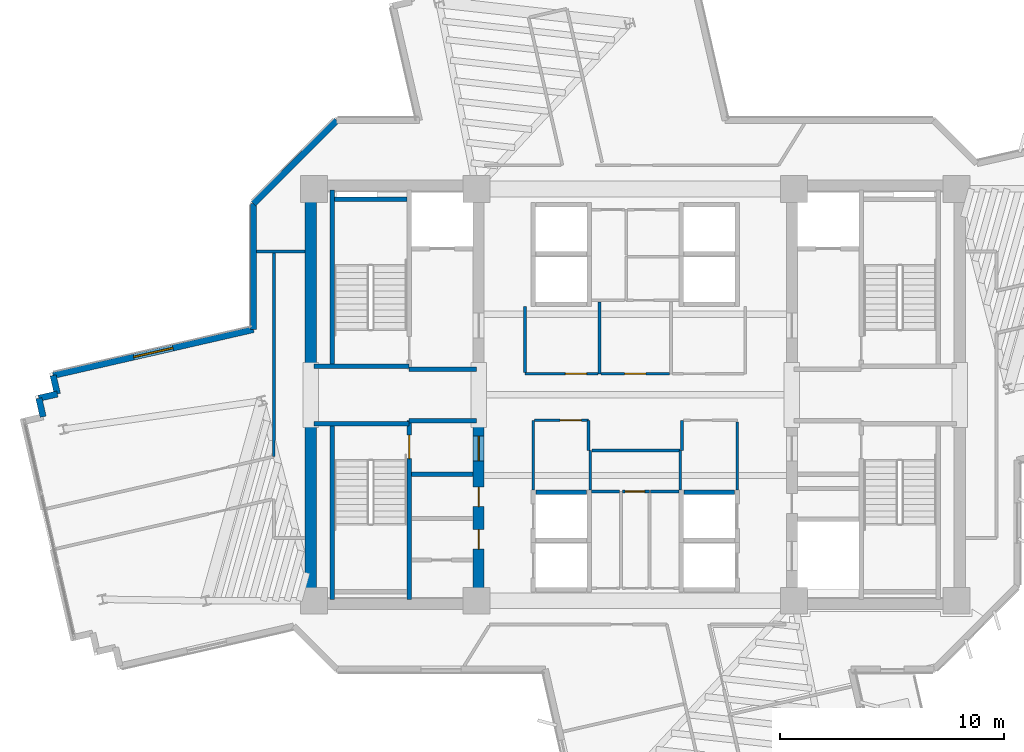
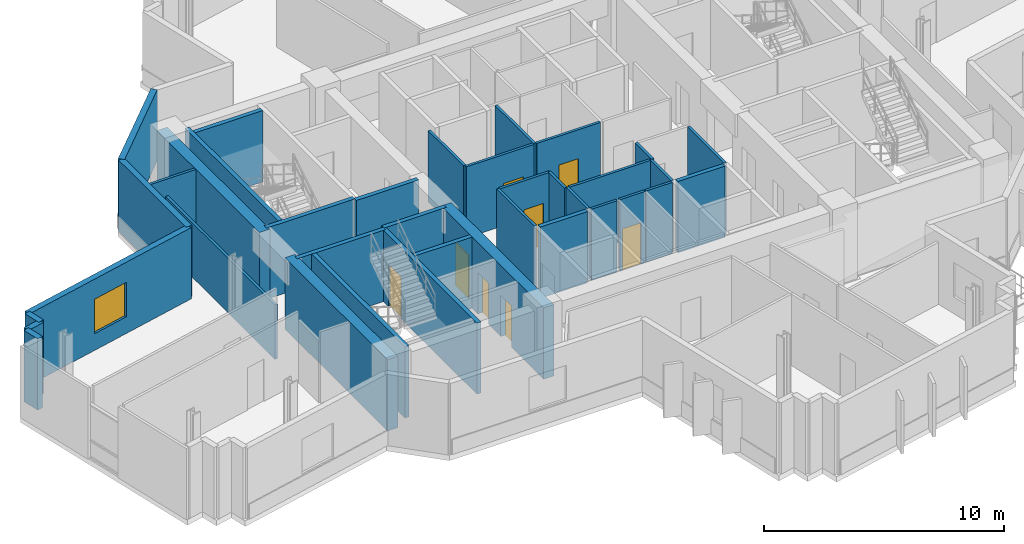
# One storey, part 7 of 13: 37 walls, 8 doors, 1 window, 9 openings.
"""IFC4 building model written with IfcOpenShell, lengths in metres."""

from ifc_helpers import new_model, si_unit, direction, frame, frame_2d, origin, place, context, subcontext, project, spatial, rectangle, extrude, source, transform, mapped, material, layer, layer_set, type_object, element, fill, save


model = new_model("IFC4")

# Units and contexts
model_context = context("Model", 3, precision=1e-05, world=origin(), true_north=direction((0.0, 1.0)))
body_context = subcontext(model_context, "Body", "Model", "MODEL_VIEW")
ifc_project = project(units=[si_unit("LENGTHUNIT", "METRE"), si_unit("AREAUNIT", "SQUARE_METRE"), si_unit("VOLUMEUNIT", "CUBIC_METRE"), si_unit("PLANEANGLEUNIT", "RADIAN"), si_unit("MASSUNIT", "GRAM", prefix="KILO")], contexts=[model_context])

# Site, building, storey
site_placement = place(None, origin())
site = spatial("IfcSite", under=ifc_project, at=site_placement, CompositionType="ELEMENT")
building_placement = place(site_placement, origin())
building = spatial("IfcBuilding", under=site, at=building_placement, Name="Zahravan Cultural Tower", CompositionType="ELEMENT")
storey_placement = place(building_placement, frame((0.0, 0.0, 174.60009765625)))
storey = spatial("IfcBuildingStorey", under=building, at=storey_placement, Name="L40", CompositionType="ELEMENT", Elevation=174.60009765625)

# Wall, openings, doors
ifc_material_1 = material(Name="Concrete C60/75", Category="concrete")
ifc_layer_1 = layer(ifc_material_1, 0.5)
ifc_layer_set_1 = layer_set([ifc_layer_1], Name="Concrete C60/75")
wall_type_1 = type_object("IfcWallType", Name="CW-SHEAR-500-C60", PredefinedType="SHEAR", material=ifc_layer_set_1)
wall_1_placement = place(storey_placement, frame((29.0, 17.39990234375, 0.0), z_axis=(0.0, 0.0, 1.0), x_axis=(0.0, 1.0, 0.0)))
wall_1 = element("IfcWall", 1, at=wall_1_placement, inside=storey, type_object=wall_type_1, Name="L40 Core Shear Wall CW-W-ES-L40", PredefinedType="SHEAR", context=body_context, shape_type="SweptSolid", body=[
    extrude(rectangle(XDim=8.550048828125, YDim=0.5, at=frame_2d((4.27490234375, 0.0))), origin(), (0.0, 0.0, 1.0), 3.619873046875),
])
opening_1_placement = place(wall_1_placement, frame((6.64990234375, 0.0, 0.0)))
opening_1 = element("IfcOpeningElement", 2, at=opening_1_placement, cuts=wall_1, Name="Opening D-L40-07", PredefinedType="OPENING", context=body_context, shape_type="SweptSolid", body=[
    extrude(rectangle(XDim=1.10009765625, YDim=2.199951171875, at=frame_2d((0.550048828125, 1.10009765625))), frame((0.0, 0.260009765625, 0.0), z_axis=(0.0, -1.0, 0.0), x_axis=(1.0, 0.0, 0.0)), (0.0, 0.0, 1.0), 0.52001953125),
])
opening_2_placement = place(wall_1_placement, frame((2.699951171875, 0.0, 0.0)))
opening_2 = element("IfcOpeningElement", 3, at=opening_2_placement, cuts=wall_1, Name="Opening D-L40-10", PredefinedType="OPENING", context=body_context, shape_type="SweptSolid", body=[
    extrude(rectangle(XDim=0.8798828125, YDim=2.10009765625, at=frame_2d((0.43994140625, 1.050048828125))), frame((0.0, 0.260009765625, 0.0), z_axis=(0.0, -1.0, 0.0), x_axis=(1.0, 0.0, 0.0)), (0.0, 0.0, 1.0), 0.52001953125),
])
opening_3_placement = place(wall_1_placement, frame((4.60009765625, 0.0, 0.0)))
opening_3 = element("IfcOpeningElement", 4, at=opening_3_placement, cuts=wall_1, Name="Opening D-L40-11", PredefinedType="OPENING", context=body_context, shape_type="SweptSolid", body=[
    extrude(rectangle(XDim=0.8798828125, YDim=2.10009765625, at=frame_2d((0.43994140625, 1.050048828125))), frame((0.0, 0.260009765625, 0.0), z_axis=(0.0, -1.0, 0.0), x_axis=(1.0, 0.0, 0.0)), (0.0, 0.0, 1.0), 0.52001953125),
])
ifc_material_2 = material(Name="Steel ASTM A572 Grade 50", Category="steel")
door_type_1 = type_object("IfcDoorType", Name="DR-LOBBY-1100", OperationType="NOTDEFINED", PredefinedType="DOOR", material=ifc_material_2)
shared_shape_1 = source(origin(), body_context, "Body", "SweptSolid", [
    extrude(rectangle(XDim=1.10009765625, YDim=2.199951171875, at=frame_2d((0.550048828125, 1.10009765625))), frame((0.0, 0.02490234375, 0.0), z_axis=(0.0, -1.0, 0.0), x_axis=(1.0, 0.0, 0.0)), (0.0, 0.0, 1.0), 0.050048828125),
])
door_1_placement = place(opening_1_placement, origin())
door_1 = element("IfcDoor", 5, at=door_1_placement, inside=storey, type_object=door_type_1, Name="L40 Door D-L40-07", OperationType="SINGLE_SWING_RIGHT", OverallHeight=2.199951171875, OverallWidth=1.10009765625, PredefinedType="DOOR", context=body_context, shape_type="MappedRepresentation", body=[
    mapped(shared_shape_1, transform((0.0, 0.0, 0.0), x_axis=(1.0, 0.0, 0.0), y_axis=(0.0, 1.0, 0.0), z_axis=(0.0, 0.0, 1.0), scale=1.0)),
])
fill(opening_1, door_1)
door_type_2 = type_object("IfcDoorType", Name="DR-SVC-880", OperationType="NOTDEFINED", PredefinedType="DOOR", material=ifc_material_2)
shared_shape_2 = source(origin(), body_context, "Body", "SweptSolid", [
    extrude(rectangle(XDim=0.8798828125, YDim=2.10009765625, at=frame_2d((0.43994140625, 1.050048828125))), frame((0.0, 0.02490234375, 0.0), z_axis=(0.0, -1.0, 0.0), x_axis=(1.0, 0.0, 0.0)), (0.0, 0.0, 1.0), 0.050048828125),
])
door_2_placement = place(opening_2_placement, origin())
door_2 = element("IfcDoor", 6, at=door_2_placement, inside=storey, type_object=door_type_2, Name="L40 Door D-L40-10", OperationType="SINGLE_SWING_LEFT", OverallHeight=2.10009765625, OverallWidth=0.8798828125, PredefinedType="DOOR", context=body_context, shape_type="MappedRepresentation", body=[
    mapped(shared_shape_2, transform((0.0, 0.0, 0.0), x_axis=(1.0, 0.0, 0.0), y_axis=(0.0, 1.0, 0.0), z_axis=(0.0, 0.0, 1.0), scale=1.0)),
])
fill(opening_2, door_2)
door_3_placement = place(opening_3_placement, origin())
door_3 = element("IfcDoor", 7, at=door_3_placement, inside=storey, type_object=door_type_2, Name="L40 Door D-L40-11", OperationType="SINGLE_SWING_RIGHT", OverallHeight=2.10009765625, OverallWidth=0.8798828125, PredefinedType="DOOR", context=body_context, shape_type="MappedRepresentation", body=[
    mapped(shared_shape_2, transform((0.0, 0.0, 0.0), x_axis=(1.0, 0.0, 0.0), y_axis=(0.0, 1.0, 0.0), z_axis=(0.0, 0.0, 1.0), scale=1.0)),
])
fill(opening_3, door_3)

# Wall, opening, window
ifc_material_3 = material(Name="Precast concrete C40/50", Category="concrete")
ifc_layer_2 = layer(ifc_material_3, 0.280029296875)
ifc_layer_set_2 = layer_set([ifc_layer_2], Name="Precast concrete C40/50")
wall_type_2 = type_object("IfcWallType", Name="EW-TC-280", PredefinedType="SOLIDWALL", material=ifc_layer_set_2)
wall_2_placement = place(storey_placement, frame((9.98779296875, 27.86572265625, 0.0), z_axis=(0.0, 0.0, 1.0), x_axis=(0.974680686557, 0.223601340005, 0.0)))
wall_2 = element("IfcWall", 8, at=wall_2_placement, inside=storey, type_object=wall_type_2, Name="L40 Exterior Masonry Frame Wall 36", PredefinedType="SOLIDWALL", context=body_context, shape_type="SweptSolid", body=[
    extrude(rectangle(XDim=9.184814453125, YDim=0.280029296875, at=frame_2d((4.59228515625, 0.0))), origin(), (0.0, 0.0, 1.0), 3.619873046875),
])
opening_4_placement = place(wall_2_placement, frame((3.69189453125, 0.0, 0.85009765625)))
opening_4 = element("IfcOpeningElement", 9, at=opening_4_placement, cuts=wall_2, Name="Opening WN-02", PredefinedType="OPENING", context=body_context, shape_type="SweptSolid", body=[
    extrude(rectangle(XDim=1.800048828125, YDim=1.75, at=frame_2d((0.89990234375, 0.875))), frame((0.0, 0.14990234375, 0.0), z_axis=(0.0, -1.0, 0.0), x_axis=(1.0, 0.0, 0.0)), (0.0, 0.0, 1.0), 0.300048828125),
])
ifc_material_4 = material(Name="Low-E solar-control double glazing", Category="glass")
window_type = type_object("IfcWindowType", Name="WN-REC-1800X1750", PartitioningType="DOUBLE_PANEL_VERTICAL", PredefinedType="WINDOW", material=ifc_material_4)
shared_shape_3 = source(origin(), body_context, "Body", "SweptSolid", [
    extrude(rectangle(XDim=1.800048828125, YDim=1.75, at=frame_2d((0.89990234375, 0.875))), frame((0.0, 0.030029296875, 0.0), z_axis=(0.0, -1.0, 0.0), x_axis=(1.0, 0.0, 0.0)), (0.0, 0.0, 1.0), 0.06005859375),
])
window_placement = place(opening_4_placement, origin())
window = element("IfcWindow", 10, at=window_placement, inside=storey, type_object=window_type, Name="L40 Recessed Solar Window 08", OverallHeight=1.75, OverallWidth=1.800048828125, PartitioningType="DOUBLE_PANEL_VERTICAL", PredefinedType="WINDOW", context=body_context, shape_type="MappedRepresentation", body=[
    mapped(shared_shape_3, transform((0.0, 0.0, 0.0), x_axis=(1.0, 0.0, 0.0), y_axis=(0.0, 1.0, 0.0), z_axis=(0.0, 0.0, 1.0), scale=1.0)),
])
fill(opening_4, window)

# Wall, opening, door
ifc_material_5 = material(Name="Gypsum plasterboard partition")
ifc_layer_3 = layer(ifc_material_5, 0.125)
ifc_layer_set_3 = layer_set([ifc_layer_3], Name="Gypsum plasterboard partition")
wall_type_3 = type_object("IfcWallType", Name="W-PART-125", PredefinedType="PARTITIONING", material=ifc_layer_set_3)
wall_3_placement = place(storey_placement, frame((35.427490234375, 22.679931640625, 0.0), z_axis=(0.0, 0.0, 1.0), x_axis=(1.0, 0.0, 0.0)))
wall_3 = element("IfcWall", 11, at=wall_3_placement, inside=storey, type_object=wall_type_3, Name="L40 Interior Wall 063", PredefinedType="PARTITIONING", context=body_context, shape_type="SweptSolid", body=[
    extrude(rectangle(XDim=1.21240234375, YDim=0.125, at=frame_2d((0.606201171875, 0.0))), origin(), (0.0, 0.0, 1.0), 3.619873046875),
])
opening_5_placement = place(wall_3_placement, frame((0.116455078125, 0.0, 0.0)))
opening_5 = element("IfcOpeningElement", 12, at=opening_5_placement, cuts=wall_3, Name="Opening D-L40-32", PredefinedType="OPENING", context=body_context, shape_type="SweptSolid", body=[
    extrude(rectangle(XDim=0.8798828125, YDim=2.10009765625, at=frame_2d((0.43994140625, 1.050048828125))), frame((0.0, 0.072509765625, 0.0), z_axis=(0.0, -1.0, 0.0), x_axis=(1.0, 0.0, 0.0)), (0.0, 0.0, 1.0), 0.14501953125),
])
ifc_material_6 = material(Name="Anodised bronze-aluminium mullion", Category="aluminium")
door_type_3 = type_object("IfcDoorType", Name="DR-ROOM-880", OperationType="NOTDEFINED", PredefinedType="DOOR", material=ifc_material_6)
door_4_placement = place(opening_5_placement, origin())
door_4 = element("IfcDoor", 13, at=door_4_placement, inside=storey, type_object=door_type_3, Name="L40 Door D-L40-32", OperationType="SINGLE_SWING_LEFT", OverallHeight=2.10009765625, OverallWidth=0.8798828125, PredefinedType="DOOR", context=body_context, shape_type="MappedRepresentation", body=[
    mapped(shared_shape_2, transform((0.0, 0.0, 0.0), x_axis=(1.0, 0.0, 0.0), y_axis=(0.0, 1.0, 0.0), z_axis=(0.0, 0.0, 1.0), scale=1.0)),
])
fill(opening_5, door_4)

wall_4_placement = place(storey_placement, frame((31.507568359375, 25.860107421875, 0.0), z_axis=(0.0, 0.0, 1.0), x_axis=(1.0, 0.0, 0.0)))
wall_4 = element("IfcWall", 14, at=wall_4_placement, inside=storey, type_object=wall_type_3, Name="L40 Interior Wall 076", PredefinedType="PARTITIONING", context=body_context, shape_type="SweptSolid", body=[
    extrude(rectangle(XDim=2.40234375, YDim=0.125, at=frame_2d((1.201171875, 0.0))), origin(), (0.0, 0.0, 1.0), 3.619873046875),
])
opening_6_placement = place(wall_4_placement, frame((1.1328125, 0.0, 0.0)))
opening_6 = element("IfcOpeningElement", 15, at=opening_6_placement, cuts=wall_4, Name="Opening D-L40-13", PredefinedType="OPENING", context=body_context, shape_type="SweptSolid", body=[
    extrude(rectangle(XDim=0.949951171875, YDim=2.14990234375, at=frame_2d((0.47509765625, 1.074951171875))), frame((0.0, 0.072509765625, 0.0), z_axis=(0.0, -1.0, 0.0), x_axis=(1.0, 0.0, 0.0)), (0.0, 0.0, 1.0), 0.14501953125),
])
door_type_4 = type_object("IfcDoorType", Name="DR-ROOM-950", OperationType="NOTDEFINED", PredefinedType="DOOR", material=ifc_material_6)
shared_shape_4 = source(origin(), body_context, "Body", "SweptSolid", [
    extrude(rectangle(XDim=0.949951171875, YDim=2.14990234375, at=frame_2d((0.47509765625, 1.074951171875))), frame((0.0, 0.02490234375, 0.0), z_axis=(0.0, -1.0, 0.0), x_axis=(1.0, 0.0, 0.0)), (0.0, 0.0, 1.0), 0.050048828125),
])
door_5_placement = place(opening_6_placement, origin())
door_5 = element("IfcDoor", 16, at=door_5_placement, inside=storey, type_object=door_type_4, Name="L40 Door D-L40-13", OperationType="SINGLE_SWING_RIGHT", OverallHeight=2.14990234375, OverallWidth=0.949951171875, PredefinedType="DOOR", context=body_context, shape_type="MappedRepresentation", body=[
    mapped(shared_shape_4, transform((0.0, 0.0, 0.0), x_axis=(1.0, 0.0, 0.0), y_axis=(0.0, 1.0, 0.0), z_axis=(0.0, 0.0, 1.0), scale=1.0)),
])
fill(opening_6, door_5)

wall_5_placement = place(storey_placement, frame((37.532470703125, 27.93994140625, 0.0), z_axis=(0.0, 0.0, 1.0), x_axis=(-1.0, 0.0, 0.0)))
wall_5 = element("IfcWall", 17, at=wall_5_placement, inside=storey, type_object=wall_type_3, Name="L40 Interior Wall 083", PredefinedType="PARTITIONING", context=body_context, shape_type="SweptSolid", body=[
    extrude(rectangle(XDim=3.06494140625, YDim=0.125, at=frame_2d((1.532470703125, 0.0))), origin(), (0.0, 0.0, 1.0), 3.619873046875),
])
opening_7_placement = place(wall_5_placement, frame((1.0576171875, 0.0, 0.0)))
opening_7 = element("IfcOpeningElement", 18, at=opening_7_placement, cuts=wall_5, Name="Opening D-L40-18", PredefinedType="OPENING", context=body_context, shape_type="SweptSolid", body=[
    extrude(rectangle(XDim=0.949951171875, YDim=2.14990234375, at=frame_2d((0.47509765625, 1.074951171875))), frame((0.0, 0.072509765625, 0.0), z_axis=(0.0, -1.0, 0.0), x_axis=(1.0, 0.0, 0.0)), (0.0, 0.0, 1.0), 0.14501953125),
])
door_6_placement = place(opening_7_placement, origin())
door_6 = element("IfcDoor", 19, at=door_6_placement, inside=storey, type_object=door_type_4, Name="L40 Door D-L40-18", OperationType="SINGLE_SWING_LEFT", OverallHeight=2.14990234375, OverallWidth=0.949951171875, PredefinedType="DOOR", context=body_context, shape_type="MappedRepresentation", body=[
    mapped(shared_shape_4, transform((0.0, 0.0, 0.0), x_axis=(1.0, 0.0, 0.0), y_axis=(0.0, 1.0, 0.0), z_axis=(0.0, 0.0, 1.0), scale=1.0)),
])
fill(opening_7, door_6)

wall_6_placement = place(storey_placement, frame((34.33251953125, 27.93994140625, 0.0), z_axis=(0.0, 0.0, 1.0), x_axis=(-1.0, 0.0, 0.0)))
wall_6 = element("IfcWall", 20, at=wall_6_placement, inside=storey, type_object=wall_type_3, Name="L40 Interior Wall 084", PredefinedType="PARTITIONING", context=body_context, shape_type="SweptSolid", body=[
    extrude(rectangle(XDim=3.25244140625, YDim=0.125, at=frame_2d((1.626220703125, 0.0))), origin(), (0.0, 0.0, 1.0), 3.619873046875),
])
opening_8_placement = place(wall_6_placement, frame((0.506591796875, 0.0, 0.0)))
opening_8 = element("IfcOpeningElement", 21, at=opening_8_placement, cuts=wall_6, Name="Opening D-L40-17", PredefinedType="OPENING", context=body_context, shape_type="SweptSolid", body=[
    extrude(rectangle(XDim=0.949951171875, YDim=2.14990234375, at=frame_2d((0.47509765625, 1.074951171875))), frame((0.0, 0.072509765625, 0.0), z_axis=(0.0, -1.0, 0.0), x_axis=(1.0, 0.0, 0.0)), (0.0, 0.0, 1.0), 0.14501953125),
])
door_7_placement = place(opening_8_placement, origin())
door_7 = element("IfcDoor", 22, at=door_7_placement, inside=storey, type_object=door_type_4, Name="L40 Door D-L40-17", OperationType="SINGLE_SWING_RIGHT", OverallHeight=2.14990234375, OverallWidth=0.949951171875, PredefinedType="DOOR", context=body_context, shape_type="MappedRepresentation", body=[
    mapped(shared_shape_4, transform((0.0, 0.0, 0.0), x_axis=(1.0, 0.0, 0.0), y_axis=(0.0, 1.0, 0.0), z_axis=(0.0, 0.0, 1.0), scale=1.0)),
])
fill(opening_8, door_7)

ifc_material_7 = material(Name="Concrete C45/55", Category="concrete")
ifc_layer_4 = layer(ifc_material_7, 0.199951171875)
ifc_layer_set_4 = layer_set([ifc_layer_4], Name="Concrete C45/55")
wall_type_4 = type_object("IfcWallType", Name="W-SHAFT-200", PredefinedType="SOLIDWALL", material=ifc_layer_set_4)
wall_7_placement = place(storey_placement, frame((25.89990234375, 17.85009765625, 0.0), z_axis=(0.0, 0.0, 1.0), x_axis=(0.0, 1.0, 0.0)))
wall_7 = element("IfcWall", 23, at=wall_7_placement, inside=storey, type_object=wall_type_4, Name="L40 Interior Wall 005", PredefinedType="SOLIDWALL", context=body_context, shape_type="SweptSolid", body=[
    extrude(rectangle(XDim=8.0, YDim=0.199951171875, at=frame_2d((4.0, 0.0))), origin(), (0.0, 0.0, 1.0), 3.619873046875),
])
opening_9_placement = place(wall_7_placement, frame((6.300048828125, 0.0, 0.0)))
opening_9 = element("IfcOpeningElement", 24, at=opening_9_placement, cuts=wall_7, Name="Opening D-L40-04", PredefinedType="OPENING", context=body_context, shape_type="SweptSolid", body=[
    extrude(rectangle(XDim=1.050048828125, YDim=2.14990234375, at=frame_2d((0.52490234375, 1.074951171875))), frame((0.0, 0.10986328125, 0.0), z_axis=(0.0, -1.0, 0.0), x_axis=(1.0, 0.0, 0.0)), (0.0, 0.0, 1.0), 0.219970703125),
])
door_type_5 = type_object("IfcDoorType", Name="DR-STAIR-1050", OperationType="NOTDEFINED", PredefinedType="DOOR", material=ifc_material_2)
shared_shape_5 = source(origin(), body_context, "Body", "SweptSolid", [
    extrude(rectangle(XDim=1.050048828125, YDim=2.14990234375, at=frame_2d((0.52490234375, 1.074951171875))), frame((0.0, 0.02490234375, 0.0), z_axis=(0.0, -1.0, 0.0), x_axis=(1.0, 0.0, 0.0)), (0.0, 0.0, 1.0), 0.050048828125),
])
door_8_placement = place(opening_9_placement, origin())
door_8 = element("IfcDoor", 25, at=door_8_placement, inside=storey, type_object=door_type_5, Name="L40 Door D-L40-04", OperationType="SINGLE_SWING_LEFT", OverallHeight=2.14990234375, OverallWidth=1.050048828125, PredefinedType="DOOR", context=body_context, shape_type="MappedRepresentation", body=[
    mapped(shared_shape_5, transform((0.0, 0.0, 0.0), x_axis=(1.0, 0.0, 0.0), y_axis=(0.0, 1.0, 0.0), z_axis=(0.0, 0.0, 1.0), scale=1.0)),
])
fill(opening_9, door_8)

# Walls
shared_shape_6 = source(origin(), body_context, "Body", "SweptSolid", [
    extrude(rectangle(XDim=8.550048828125, YDim=0.5, at=frame_2d((4.27490234375, 0.0))), origin(), (0.0, 0.0, 1.0), 3.619873046875),
])
for number, where, z_axis, x_axis, name in (
    (26, (21.5, 17.39990234375, 0.0), (0.0, 0.0, 1.0), (0.0, 1.0, 0.0), "L40 Core Shear Wall CW-W-WS-L40"),
    (27, (21.5, 28.050048828125, 0.0), (0.0, 0.0, 1.0), (0.0, 1.0, 0.0), "L40 Core Shear Wall CW-W-WN-L40"),
):
    element("IfcWall", number, at=place(storey_placement, frame(where, z_axis=z_axis, x_axis=x_axis)), inside=storey, type_object=wall_type_1, Name=name, PredefinedType="SHEAR", context=body_context, shape_type="MappedRepresentation", body=[
        mapped(shared_shape_6, transform((0.0, 0.0, 0.0), x_axis=(1.0, 0.0, 0.0), y_axis=(0.0, 1.0, 0.0), z_axis=(0.0, 0.0, 1.0), scale=1.0)),
    ])
shared_shape_7 = source(origin(), body_context, "Body", "SweptSolid", [
    extrude(rectangle(XDim=0.85009765625, YDim=0.280029296875, at=frame_2d((0.425048828125, 0.0))), origin(), (0.0, 0.0, 1.0), 3.619873046875),
])
wall_8_placement = place(storey_placement, frame((9.539306640625, 26.018798828125, 0.0), z_axis=(0.0, 0.0, 1.0), x_axis=(-0.22316012353, 0.974781800849, 0.0)))
element("IfcWall", 28, at=wall_8_placement, inside=storey, type_object=wall_type_2, Name="L40 Exterior Masonry Frame Wall 33", PredefinedType="SOLIDWALL", context=body_context, shape_type="MappedRepresentation", body=[
    mapped(shared_shape_7, transform((0.0, 0.0, 0.0), x_axis=(1.0, 0.0, 0.0), y_axis=(0.0, 1.0, 0.0), z_axis=(0.0, 0.0, 1.0), scale=1.0)),
])
shared_shape_8 = source(origin(), body_context, "Body", "SweptSolid", [
    extrude(rectangle(XDim=5.258056640625, YDim=0.280029296875, at=frame_2d((2.62890625, 0.0))), origin(), (0.0, 0.0, 1.0), 3.619873046875),
])
wall_9_placement = place(storey_placement, frame((18.93994140625, 35.5419921875, 0.0), z_axis=(0.0, 0.0, 1.0), x_axis=(0.707106781187, 0.707106781187, 0.0)))
element("IfcWall", 29, at=wall_9_placement, inside=storey, type_object=wall_type_2, Name="L40 Exterior Masonry Frame Wall 38", PredefinedType="SOLIDWALL", context=body_context, shape_type="MappedRepresentation", body=[
    mapped(shared_shape_8, transform((0.0, 0.0, 0.0), x_axis=(1.0, 0.0, 0.0), y_axis=(0.0, 1.0, 0.0), z_axis=(0.0, 0.0, 1.0), scale=1.0)),
])
shared_shape_9 = source(origin(), body_context, "Body", "SweptSolid", [
    extrude(rectangle(XDim=0.849853515625, YDim=0.280029296875, at=frame_2d((0.4248046875, 0.0))), origin(), (0.0, 0.0, 1.0), 3.619873046875),
])
for number, where, z_axis, x_axis, name in (
    (30, (9.349609375, 26.847412109375, 0.0), (0.0, 0.0, 1.0), (0.974704946586, 0.223495563939, 0.0), "L40 Exterior Masonry Frame Wall 34"),
    (31, (10.177978515625, 27.037353515625, 0.0), (0.0, 0.0, 1.0), (-0.223768457828, 0.974642333003, 0.0), "L40 Exterior Masonry Frame Wall 35"),
):
    element("IfcWall", number, at=place(storey_placement, frame(where, z_axis=z_axis, x_axis=x_axis)), inside=storey, type_object=wall_type_2, Name=name, PredefinedType="SOLIDWALL", context=body_context, shape_type="MappedRepresentation", body=[
        mapped(shared_shape_9, transform((0.0, 0.0, 0.0), x_axis=(1.0, 0.0, 0.0), y_axis=(0.0, 1.0, 0.0), z_axis=(0.0, 0.0, 1.0), scale=1.0)),
    ])
shared_shape_10 = source(origin(), body_context, "Body", "SweptSolid", [
    extrude(rectangle(XDim=5.62255859375, YDim=0.280029296875, at=frame_2d((2.811279296875, 0.0))), origin(), (0.0, 0.0, 1.0), 3.619873046875),
])
wall_10_placement = place(storey_placement, frame((18.93994140625, 29.91943359375, 0.0), z_axis=(0.0, 0.0, 1.0), x_axis=(0.0, 1.0, 0.0)))
element("IfcWall", 32, at=wall_10_placement, inside=storey, type_object=wall_type_2, Name="L40 Exterior Masonry Frame Wall 37", PredefinedType="SOLIDWALL", context=body_context, shape_type="MappedRepresentation", body=[
    mapped(shared_shape_10, transform((0.0, 0.0, 0.0), x_axis=(1.0, 0.0, 0.0), y_axis=(0.0, 1.0, 0.0), z_axis=(0.0, 0.0, 1.0), scale=1.0)),
])
shared_shape_11 = source(origin(), body_context, "Body", "SweptSolid", [
    extrude(rectangle(XDim=7.869873046875, YDim=0.199951171875, at=frame_2d((3.93505859375, 0.0))), origin(), (0.0, 0.0, 1.0), 3.619873046875),
])
for number, where, z_axis, x_axis, name in (
    (33, (22.449951171875, 17.85009765625, 0.0), (0.0, 0.0, 1.0), (0.0, 1.0, 0.0), "L40 Interior Wall 001"),
    (34, (22.449951171875, 28.280029296875, 0.0), (0.0, 0.0, 1.0), (0.0, 1.0, 0.0), "L40 Interior Wall 002"),
):
    element("IfcWall", number, at=place(storey_placement, frame(where, z_axis=z_axis, x_axis=x_axis)), inside=storey, type_object=wall_type_4, Name=name, PredefinedType="SOLIDWALL", context=body_context, shape_type="MappedRepresentation", body=[
        mapped(shared_shape_11, transform((0.0, 0.0, 0.0), x_axis=(1.0, 0.0, 0.0), y_axis=(0.0, 1.0, 0.0), z_axis=(0.0, 0.0, 1.0), scale=1.0)),
    ])
shared_shape_12 = source(origin(), body_context, "Body", "SweptSolid", [
    extrude(rectangle(XDim=4.25, YDim=0.199951171875, at=frame_2d((2.125, 0.0))), origin(), (0.0, 0.0, 1.0), 3.619873046875),
])
for number, where, z_axis, x_axis, name in (
    (35, (21.64990234375, 25.715087890625, 0.0), (0.0, 0.0, 1.0), (1.0, 0.0, 0.0), "L40 Interior Wall 009"),
    (36, (21.64990234375, 28.284912109375, 0.0), (0.0, 0.0, 1.0), (1.0, 0.0, 0.0), "L40 Interior Wall 011"),
):
    element("IfcWall", number, at=place(storey_placement, frame(where, z_axis=z_axis, x_axis=x_axis)), inside=storey, type_object=wall_type_4, Name=name, PredefinedType="SOLIDWALL", context=body_context, shape_type="MappedRepresentation", body=[
        mapped(shared_shape_12, transform((0.0, 0.0, 0.0), x_axis=(1.0, 0.0, 0.0), y_axis=(0.0, 1.0, 0.0), z_axis=(0.0, 0.0, 1.0), scale=1.0)),
    ])
shared_shape_13 = source(origin(), body_context, "Body", "SweptSolid", [
    extrude(rectangle(XDim=3.0, YDim=0.199951171875, at=frame_2d((1.5, 0.0))), origin(), (0.0, 0.0, 1.0), 3.619873046875),
])
for number, where, z_axis, x_axis, name in (
    (37, (25.89990234375, 25.85009765625, 0.0), (0.0, 0.0, 1.0), (1.0, 0.0, 0.0), "L40 Interior Wall 010"),
    (38, (25.89990234375, 28.14990234375, 0.0), (0.0, 0.0, 1.0), (1.0, 0.0, 0.0), "L40 Interior Wall 012"),
):
    element("IfcWall", number, at=place(storey_placement, frame(where, z_axis=z_axis, x_axis=x_axis)), inside=storey, type_object=wall_type_4, Name=name, PredefinedType="SOLIDWALL", context=body_context, shape_type="MappedRepresentation", body=[
        mapped(shared_shape_13, transform((0.0, 0.0, 0.0), x_axis=(1.0, 0.0, 0.0), y_axis=(0.0, 1.0, 0.0), z_axis=(0.0, 0.0, 1.0), scale=1.0)),
    ])
shared_shape_14 = source(origin(), body_context, "Body", "SweptSolid", [
    extrude(rectangle(XDim=3.25, YDim=0.199951171875, at=frame_2d((1.625, 0.0))), origin(), (0.0, 0.0, 1.0), 3.619873046875),
])
wall_11_placement = place(storey_placement, frame((22.550048828125, 35.75, 0.0), z_axis=(0.0, 0.0, 1.0), x_axis=(1.0, 0.0, 0.0)))
element("IfcWall", 39, at=wall_11_placement, inside=storey, type_object=wall_type_4, Name="L40 Interior Wall 017", PredefinedType="SOLIDWALL", context=body_context, shape_type="MappedRepresentation", body=[
    mapped(shared_shape_14, transform((0.0, 0.0, 0.0), x_axis=(1.0, 0.0, 0.0), y_axis=(0.0, 1.0, 0.0), z_axis=(0.0, 0.0, 1.0), scale=1.0)),
])
shared_shape_15 = source(origin(), body_context, "Body", "SweptSolid", [
    extrude(rectangle(XDim=2.75, YDim=0.199951171875, at=frame_2d((1.375, 0.0))), origin(), (0.0, 0.0, 1.0), 3.619873046875),
])
wall_12_placement = place(storey_placement, frame((26.0, 23.449951171875, 0.0), z_axis=(0.0, 0.0, 1.0), x_axis=(1.0, 0.0, 0.0)))
element("IfcWall", 40, at=wall_12_placement, inside=storey, type_object=wall_type_4, Name="L40 Interior Wall 023", PredefinedType="SOLIDWALL", context=body_context, shape_type="MappedRepresentation", body=[
    mapped(shared_shape_15, transform((0.0, 0.0, 0.0), x_axis=(1.0, 0.0, 0.0), y_axis=(0.0, 1.0, 0.0), z_axis=(0.0, 0.0, 1.0), scale=1.0)),
])
shared_shape_16 = source(origin(), body_context, "Body", "SweptSolid", [
    extrude(rectangle(XDim=2.260009765625, YDim=0.199951171875, at=frame_2d((1.1298828125, 0.0))), origin(), (0.0, 0.0, 1.0), 3.619873046875),
])
for number, where, z_axis, x_axis, name in (
    (41, (31.570068359375, 22.64990234375, 0.0), (0.0, 0.0, 1.0), (1.0, 0.0, 0.0), "L40 Interior Wall 046"),
    (42, (38.169921875, 22.64990234375, 0.0), (0.0, 0.0, 1.0), (1.0, 0.0, 0.0), "L40 Interior Wall 053"),
):
    element("IfcWall", number, at=place(storey_placement, frame(where, z_axis=z_axis, x_axis=x_axis)), inside=storey, type_object=wall_type_4, Name=name, PredefinedType="SOLIDWALL", context=body_context, shape_type="MappedRepresentation", body=[
        mapped(shared_shape_16, transform((0.0, 0.0, 0.0), x_axis=(1.0, 0.0, 0.0), y_axis=(0.0, 1.0, 0.0), z_axis=(0.0, 0.0, 1.0), scale=1.0)),
    ])
shared_shape_17 = source(origin(), body_context, "Body", "SweptSolid", [
    extrude(rectangle(XDim=3.110107421875, YDim=0.125, at=frame_2d((1.55517578125, 0.0))), origin(), (0.0, 0.0, 1.0), 3.619873046875),
])
wall_13_placement = place(storey_placement, frame((31.43994140625, 22.75, 0.0), z_axis=(0.0, 0.0, 1.0), x_axis=(0.0, 1.0, 0.0)))
element("IfcWall", 43, at=wall_13_placement, inside=storey, type_object=wall_type_3, Name="L40 Interior Wall 075", PredefinedType="PARTITIONING", context=body_context, shape_type="MappedRepresentation", body=[
    mapped(shared_shape_17, transform((0.0, 0.0, 0.0), x_axis=(1.0, 0.0, 0.0), y_axis=(0.0, 1.0, 0.0), z_axis=(0.0, 0.0, 1.0), scale=1.0)),
])
shared_shape_18 = source(origin(), body_context, "Body", "SweptSolid", [
    extrude(rectangle(XDim=3.04248046875, YDim=0.125, at=frame_2d((1.521240234375, 0.0))), origin(), (0.0, 0.0, 1.0), 3.619873046875),
])
wall_14_placement = place(storey_placement, frame((40.56005859375, 25.79248046875, 0.0), z_axis=(0.0, 0.0, 1.0), x_axis=(0.0, -1.0, 0.0)))
element("IfcWall", 44, at=wall_14_placement, inside=storey, type_object=wall_type_3, Name="L40 Interior Wall 080", PredefinedType="PARTITIONING", context=body_context, shape_type="MappedRepresentation", body=[
    mapped(shared_shape_18, transform((0.0, 0.0, 0.0), x_axis=(1.0, 0.0, 0.0), y_axis=(0.0, 1.0, 0.0), z_axis=(0.0, 0.0, 1.0), scale=1.0)),
])
shared_shape_19 = source(origin(), body_context, "Body", "SweptSolid", [
    extrude(rectangle(XDim=2.9423828125, YDim=0.125, at=frame_2d((1.47119140625, 0.0))), origin(), (0.0, 0.0, 1.0), 3.619873046875),
])
wall_15_placement = place(storey_placement, frame((31.080078125, 28.007568359375, 0.0), z_axis=(0.0, 0.0, 1.0), x_axis=(0.0, 1.0, 0.0)))
element("IfcWall", 45, at=wall_15_placement, inside=storey, type_object=wall_type_3, Name="L40 Interior Wall 085", PredefinedType="PARTITIONING", context=body_context, shape_type="MappedRepresentation", body=[
    mapped(shared_shape_19, transform((0.0, 0.0, 0.0), x_axis=(1.0, 0.0, 0.0), y_axis=(0.0, 1.0, 0.0), z_axis=(0.0, 0.0, 1.0), scale=1.0)),
])
shared_shape_20 = source(origin(), body_context, "Body", "SweptSolid", [
    extrude(rectangle(XDim=1.237548828125, YDim=0.125, at=frame_2d((0.61865234375, 0.0))), origin(), (0.0, 0.0, 1.0), 3.619873046875),
])
wall_16_placement = place(storey_placement, frame((34.054931640625, 22.679931640625, 0.0), z_axis=(0.0, 0.0, 1.0), x_axis=(1.0, 0.0, 0.0)))
element("IfcWall", 46, at=wall_16_placement, inside=storey, type_object=wall_type_3, Name="L40 Interior Wall 066", PredefinedType="PARTITIONING", context=body_context, shape_type="MappedRepresentation", body=[
    mapped(shared_shape_20, transform((0.0, 0.0, 0.0), x_axis=(1.0, 0.0, 0.0), y_axis=(0.0, 1.0, 0.0), z_axis=(0.0, 0.0, 1.0), scale=1.0)),
])
shared_shape_21 = source(origin(), body_context, "Body", "SweptSolid", [
    extrude(rectangle(XDim=1.26513671875, YDim=0.125, at=frame_2d((0.632568359375, 0.0))), origin(), (0.0, 0.0, 1.0), 3.619873046875),
])
wall_17_placement = place(storey_placement, frame((36.679931640625, 22.679931640625, 0.0), z_axis=(0.0, 0.0, 1.0), x_axis=(1.0, 0.0, 0.0)))
element("IfcWall", 47, at=wall_17_placement, inside=storey, type_object=wall_type_3, Name="L40 Interior Wall 068", PredefinedType="PARTITIONING", context=body_context, shape_type="MappedRepresentation", body=[
    mapped(shared_shape_21, transform((0.0, 0.0, 0.0), x_axis=(1.0, 0.0, 0.0), y_axis=(0.0, 1.0, 0.0), z_axis=(0.0, 0.0, 1.0), scale=1.0)),
])
shared_shape_22 = source(origin(), body_context, "Body", "SweptSolid", [
    extrude(rectangle(XDim=1.760009765625, YDim=0.125, at=frame_2d((0.8798828125, 0.0))), origin(), (0.0, 0.0, 1.0), 3.619873046875),
])
for number, where, z_axis, x_axis, name in (
    (48, (33.989990234375, 22.75, 0.0), (0.0, 0.0, 1.0), (0.0, 1.0, 0.0), "L40 Interior Wall 072"),
    (49, (38.010009765625, 24.510009765625, 0.0), (0.0, 0.0, 1.0), (0.0, -1.0, 0.0), "L40 Interior Wall 074"),
):
    element("IfcWall", number, at=place(storey_placement, frame(where, z_axis=z_axis, x_axis=x_axis)), inside=storey, type_object=wall_type_3, Name=name, PredefinedType="PARTITIONING", context=body_context, shape_type="MappedRepresentation", body=[
        mapped(shared_shape_22, transform((0.0, 0.0, 0.0), x_axis=(1.0, 0.0, 0.0), y_axis=(0.0, 1.0, 0.0), z_axis=(0.0, 0.0, 1.0), scale=1.0)),
    ])
shared_shape_23 = source(origin(), body_context, "Body", "SweptSolid", [
    extrude(rectangle(XDim=3.952392578125, YDim=0.125, at=frame_2d((1.97607421875, 0.0))), origin(), (0.0, 0.0, 1.0), 3.619873046875),
])
wall_18_placement = place(storey_placement, frame((34.0576171875, 24.510009765625, 0.0), z_axis=(0.0, 0.0, 1.0), x_axis=(1.0, 0.0, 0.0)))
element("IfcWall", 50, at=wall_18_placement, inside=storey, type_object=wall_type_3, Name="L40 Interior Wall 073", PredefinedType="PARTITIONING", context=body_context, shape_type="MappedRepresentation", body=[
    mapped(shared_shape_23, transform((0.0, 0.0, 0.0), x_axis=(1.0, 0.0, 0.0), y_axis=(0.0, 1.0, 0.0), z_axis=(0.0, 0.0, 1.0), scale=1.0)),
])
shared_shape_24 = source(origin(), body_context, "Body", "SweptSolid", [
    extrude(rectangle(XDim=1.35009765625, YDim=0.125, at=frame_2d((0.675048828125, 0.0))), origin(), (0.0, 0.0, 1.0), 3.619873046875),
])
for number, where, z_axis, x_axis, name in (
    (51, (33.909912109375, 25.860107421875, 0.0), (0.0, 0.0, 1.0), (0.0, -1.0, 0.0), "L40 Interior Wall 077"),
    (52, (38.090087890625, 24.510009765625, 0.0), (0.0, 0.0, 1.0), (0.0, 1.0, 0.0), "L40 Interior Wall 078"),
):
    element("IfcWall", number, at=place(storey_placement, frame(where, z_axis=z_axis, x_axis=x_axis)), inside=storey, type_object=wall_type_3, Name=name, PredefinedType="PARTITIONING", context=body_context, shape_type="MappedRepresentation", body=[
        mapped(shared_shape_24, transform((0.0, 0.0, 0.0), x_axis=(1.0, 0.0, 0.0), y_axis=(0.0, 1.0, 0.0), z_axis=(0.0, 0.0, 1.0), scale=1.0)),
    ])
shared_shape_25 = source(origin(), body_context, "Body", "SweptSolid", [
    extrude(rectangle(XDim=3.199951171875, YDim=0.125, at=frame_2d((1.60009765625, 0.0))), origin(), (0.0, 0.0, 1.0), 3.619873046875),
])
wall_19_placement = place(storey_placement, frame((34.39990234375, 27.93994140625, 0.0), z_axis=(0.0, 0.0, 1.0), x_axis=(0.0, 1.0, 0.0)))
element("IfcWall", 53, at=wall_19_placement, inside=storey, type_object=wall_type_3, Name="L40 Interior Wall 081", PredefinedType="PARTITIONING", context=body_context, shape_type="MappedRepresentation", body=[
    mapped(shared_shape_25, transform((0.0, 0.0, 0.0), x_axis=(1.0, 0.0, 0.0), y_axis=(0.0, 1.0, 0.0), z_axis=(0.0, 0.0, 1.0), scale=1.0)),
])
shared_shape_26 = source(origin(), body_context, "Body", "SweptSolid", [
    extrude(rectangle(XDim=9.160400390625, YDim=0.125, at=frame_2d((4.580078125, 0.0))), origin(), (0.0, 0.0, 1.0), 2.765869140625),
])
wall_20_placement = place(storey_placement, frame((19.853759765625, 33.3994140625, 0.0), z_axis=(0.0, 0.0, 1.0), x_axis=(-0.000399776093, -0.99999992009, 0.0)))
element("IfcWall", 54, at=wall_20_placement, inside=storey, type_object=wall_type_3, Name="L40 Interior Wall 097", PredefinedType="PARTITIONING", context=body_context, shape_type="MappedRepresentation", body=[
    mapped(shared_shape_26, transform((0.0, 0.0, 0.0), x_axis=(1.0, 0.0, 0.0), y_axis=(0.0, 1.0, 0.0), z_axis=(0.0, 0.0, 1.0), scale=1.0)),
])
shared_shape_27 = source(origin(), body_context, "Body", "SweptSolid", [
    extrude(rectangle(XDim=2.1650390625, YDim=0.125, at=frame_2d((1.08251953125, 0.0))), origin(), (0.0, 0.0, 1.0), 3.619873046875),
])
wall_21_placement = place(storey_placement, frame((21.2451171875, 33.39990234375, 0.0), z_axis=(0.0, 0.0, 1.0), x_axis=(-0.999999942778, -0.000338294974, 0.0)))
element("IfcWall", 55, at=wall_21_placement, inside=storey, type_object=wall_type_3, Name="L40 Interior Wall 100", PredefinedType="PARTITIONING", context=body_context, shape_type="MappedRepresentation", body=[
    mapped(shared_shape_27, transform((0.0, 0.0, 0.0), x_axis=(1.0, 0.0, 0.0), y_axis=(0.0, 1.0, 0.0), z_axis=(0.0, 0.0, 1.0), scale=1.0)),
])

save(model, "model.ifc")
